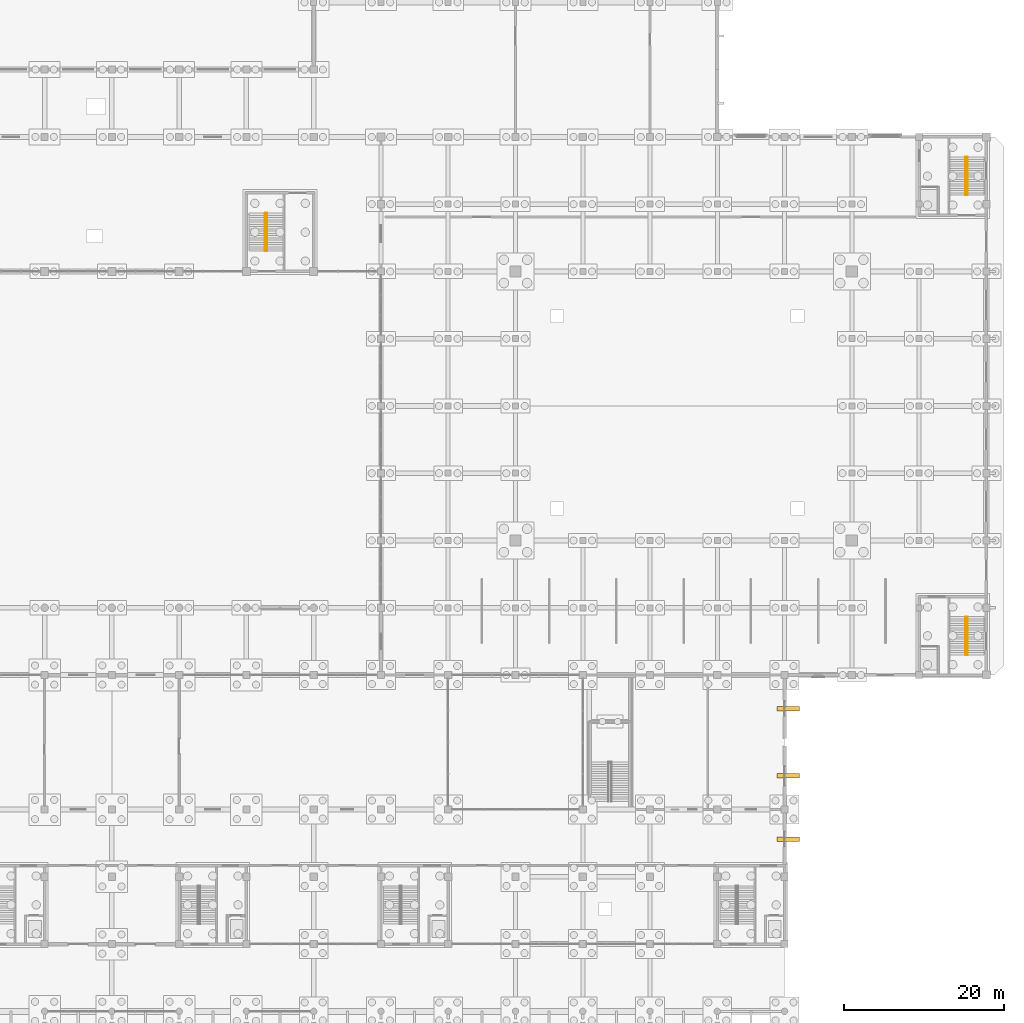
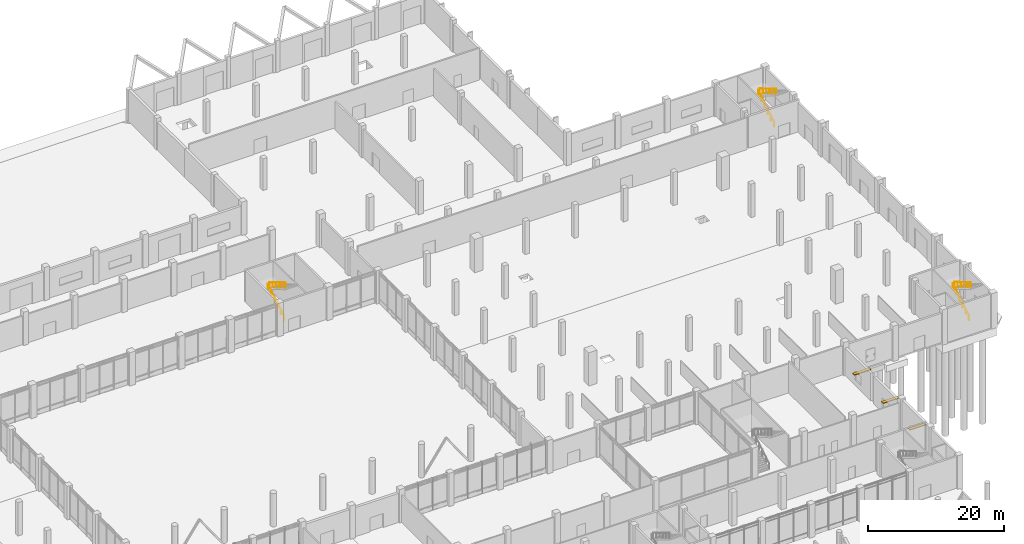
# One storey, part 71 of 72: 6 railings, 3 shading devices.
"""IFC4 building model written with IfcOpenShell, lengths in metres."""

from ifc_helpers import new_model, si_unit, direction, frame, origin, origin_2d, place, context, subcontext, project, spatial, rectangle, circle, extrude, material, type_object, element, save


model = new_model("IFC4")

# Units and contexts
model_context = context("Model", 3, precision=1e-05, world=origin(), true_north=direction((0.0, 1.0)))
body_context = subcontext(model_context, "Body", "Model", "MODEL_VIEW")
ifc_project = project(units=[si_unit("LENGTHUNIT", "METRE"), si_unit("AREAUNIT", "SQUARE_METRE"), si_unit("VOLUMEUNIT", "CUBIC_METRE"), si_unit("PLANEANGLEUNIT", "RADIAN"), si_unit("MASSUNIT", "GRAM", prefix="KILO")], contexts=[model_context])

# Site, building, storey
site_placement = place(None, origin())
site = spatial("IfcSite", under=ifc_project, at=site_placement, CompositionType="ELEMENT")
building_placement = place(site_placement, origin())
building = spatial("IfcBuilding", under=site, at=building_placement, Name="Qawsi Khor Wholesale Market", CompositionType="ELEMENT")
storey_placement = place(building_placement, origin())
storey = spatial("IfcBuildingStorey", under=building, at=storey_placement, Name="L00", CompositionType="ELEMENT", Elevation=0.0)

# Shading devices
ifc_material_1 = material(Name="Anodised Aluminium Louvre", Category="aluminium")
shading_device_type = type_object("IfcShadingDeviceType", Name="East Wing Vertical Sun-Baffle", PredefinedType="JALOUSIE", material=ifc_material_1)
for number, where, z_axis, x_axis, name in (
    (1, (193.6650390625, 21.5, 2.68017578125), (0.0, 0.0, 1.0), (1.0, 0.0, 0.0), "Sun-shading louvre 037"),
    (2, (193.6650390625, 29.39990234375, 2.68017578125), (0.0, 0.0, 1.0), (1.0, 0.0, 0.0), "Sun-shading louvre 038"),
    (3, (193.6650390625, 37.800048828125, 2.68017578125), (0.0, 0.0, 1.0), (1.0, 0.0, 0.0), "Sun-shading louvre 039"),
):
    element("IfcShadingDevice", number, at=place(storey_placement, frame(where, z_axis=z_axis, x_axis=x_axis)), inside=storey, type_object=shading_device_type, Name=name, PredefinedType="JALOUSIE", context=body_context, shape_type="SweptSolid", body=[
        extrude(rectangle(XDim=2.800048828125, YDim=0.550048828125, at=origin_2d()), origin(), (0.0, 0.0, 1.0), 0.139892578125),
    ])

# Railings
ifc_material_2 = material(Name="Brushed Stainless Steel 316", Category="steel")
railing_type = type_object("IfcRailingType", Name="Stair Pitch Handrail 920", PredefinedType="HANDRAIL", material=ifc_material_2)
railing_1_placement = place(storey_placement, frame((128.340087890625, 94.919921875, 0.166748046875)))
element("IfcRailing", 4, at=railing_1_placement, inside=storey, type_object=railing_type, Name="Stair handrail ST-10 L00 F1", PredefinedType="HANDRAIL", context=body_context, shape_type="SweptSolid", body=[
    extrude(circle(Radius=0.02392578125, at=origin_2d()), frame((0.0, 0.0, 0.89599609375), z_axis=(0.0, 0.859299802514, 0.511472237174), x_axis=(-1.0, 0.0, 0.0)), (0.0, 0.0, 1.0), 5.539306640625),
    extrude(circle(Radius=0.02099609375, at=origin_2d()), origin(), (0.0, 0.0, 1.0), 0.871826171875),
    extrude(circle(Radius=0.02099609375, at=origin_2d()), frame((0.0, 0.951904296875, 0.566650390625)), (0.0, 0.0, 1.0), 0.871826171875),
    extrude(circle(Radius=0.02099609375, at=origin_2d()), frame((0.0, 1.904052734375, 1.13330078125)), (0.0, 0.0, 1.0), 0.871826171875),
    extrude(circle(Radius=0.02099609375, at=origin_2d()), frame((0.0, 2.85595703125, 1.699951171875)), (0.0, 0.0, 1.0), 0.871826171875),
    extrude(circle(Radius=0.02099609375, at=origin_2d()), frame((0.0, 3.80810546875, 2.2666015625)), (0.0, 0.0, 1.0), 0.871826171875),
    extrude(circle(Radius=0.02099609375, at=origin_2d()), frame((0.0, 4.760009765625, 2.833251953125)), (0.0, 0.0, 1.0), 0.871826171875),
])
railing_2_placement = place(storey_placement, frame((128.60009765625, 99.679931640625, 3.166748046875)))
element("IfcRailing", 5, at=railing_2_placement, inside=storey, type_object=railing_type, Name="Stair handrail ST-10 L00 F2", PredefinedType="HANDRAIL", context=body_context, shape_type="SweptSolid", body=[
    extrude(circle(Radius=0.02392578125, at=origin_2d()), frame((0.0, 0.0, 0.89599609375), z_axis=(0.0, -0.859299802514, 0.511472237174), x_axis=(1.0, 0.0, 0.0)), (0.0, 0.0, 1.0), 5.539306640625),
    extrude(circle(Radius=0.02099609375, at=origin_2d()), origin(), (0.0, 0.0, 1.0), 0.871826171875),
    extrude(circle(Radius=0.02099609375, at=origin_2d()), frame((0.0, -0.951904296875, 0.566650390625)), (0.0, 0.0, 1.0), 0.871826171875),
    extrude(circle(Radius=0.02099609375, at=origin_2d()), frame((0.0, -1.904052734375, 1.13330078125)), (0.0, 0.0, 1.0), 0.871826171875),
    extrude(circle(Radius=0.02099609375, at=origin_2d()), frame((0.0, -2.85595703125, 1.699951171875)), (0.0, 0.0, 1.0), 0.871826171875),
    extrude(circle(Radius=0.02099609375, at=origin_2d()), frame((0.0, -3.80810546875, 2.2666015625)), (0.0, 0.0, 1.0), 0.871826171875),
    extrude(circle(Radius=0.02099609375, at=origin_2d()), frame((0.0, -4.760009765625, 2.833251953125)), (0.0, 0.0, 1.0), 0.871826171875),
])
railing_3_placement = place(storey_placement, frame((215.800048828125, 44.52001953125, 0.166748046875)))
element("IfcRailing", 6, at=railing_3_placement, inside=storey, type_object=railing_type, Name="Stair handrail ST-11 L00 F1", PredefinedType="HANDRAIL", context=body_context, shape_type="SweptSolid", body=[
    extrude(circle(Radius=0.02392578125, at=origin_2d()), frame((0.0, 0.0, 0.89599609375), z_axis=(0.0, 0.859299802514, 0.511472237174), x_axis=(-1.0, 0.0, 0.0)), (0.0, 0.0, 1.0), 5.539306640625),
    extrude(circle(Radius=0.02099609375, at=origin_2d()), origin(), (0.0, 0.0, 1.0), 0.871826171875),
    extrude(circle(Radius=0.02099609375, at=origin_2d()), frame((0.0, 0.951904296875, 0.566650390625)), (0.0, 0.0, 1.0), 0.871826171875),
    extrude(circle(Radius=0.02099609375, at=origin_2d()), frame((0.0, 1.904052734375, 1.13330078125)), (0.0, 0.0, 1.0), 0.871826171875),
    extrude(circle(Radius=0.02099609375, at=origin_2d()), frame((0.0, 2.85595703125, 1.699951171875)), (0.0, 0.0, 1.0), 0.871826171875),
    extrude(circle(Radius=0.02099609375, at=origin_2d()), frame((0.0, 3.80810546875, 2.2666015625)), (0.0, 0.0, 1.0), 0.871826171875),
    extrude(circle(Radius=0.02099609375, at=origin_2d()), frame((0.0, 4.760009765625, 2.833251953125)), (0.0, 0.0, 1.0), 0.871826171875),
])
railing_4_placement = place(storey_placement, frame((216.06005859375, 49.280029296875, 3.166748046875)))
element("IfcRailing", 7, at=railing_4_placement, inside=storey, type_object=railing_type, Name="Stair handrail ST-11 L00 F2", PredefinedType="HANDRAIL", context=body_context, shape_type="SweptSolid", body=[
    extrude(circle(Radius=0.02392578125, at=origin_2d()), frame((0.0, 0.0, 0.89599609375), z_axis=(0.0, -0.859299802514, 0.511472237174), x_axis=(1.0, 0.0, 0.0)), (0.0, 0.0, 1.0), 5.539306640625),
    extrude(circle(Radius=0.02099609375, at=origin_2d()), origin(), (0.0, 0.0, 1.0), 0.871826171875),
    extrude(circle(Radius=0.02099609375, at=origin_2d()), frame((0.0, -0.951904296875, 0.566650390625)), (0.0, 0.0, 1.0), 0.871826171875),
    extrude(circle(Radius=0.02099609375, at=origin_2d()), frame((0.0, -1.904052734375, 1.13330078125)), (0.0, 0.0, 1.0), 0.871826171875),
    extrude(circle(Radius=0.02099609375, at=origin_2d()), frame((0.0, -2.85595703125, 1.699951171875)), (0.0, 0.0, 1.0), 0.871826171875),
    extrude(circle(Radius=0.02099609375, at=origin_2d()), frame((0.0, -3.80810546875, 2.2666015625)), (0.0, 0.0, 1.0), 0.871826171875),
    extrude(circle(Radius=0.02099609375, at=origin_2d()), frame((0.0, -4.760009765625, 2.833251953125)), (0.0, 0.0, 1.0), 0.871826171875),
])
railing_5_placement = place(storey_placement, frame((215.800048828125, 101.919921875, 0.166748046875)))
element("IfcRailing", 8, at=railing_5_placement, inside=storey, type_object=railing_type, Name="Stair handrail ST-12 L00 F1", PredefinedType="HANDRAIL", context=body_context, shape_type="SweptSolid", body=[
    extrude(circle(Radius=0.02392578125, at=origin_2d()), frame((0.0, 0.0, 0.89599609375), z_axis=(0.0, 0.859299802514, 0.511472237174), x_axis=(-1.0, 0.0, 0.0)), (0.0, 0.0, 1.0), 5.539306640625),
    extrude(circle(Radius=0.02099609375, at=origin_2d()), origin(), (0.0, 0.0, 1.0), 0.871826171875),
    extrude(circle(Radius=0.02099609375, at=origin_2d()), frame((0.0, 0.951904296875, 0.566650390625)), (0.0, 0.0, 1.0), 0.871826171875),
    extrude(circle(Radius=0.02099609375, at=origin_2d()), frame((0.0, 1.904052734375, 1.13330078125)), (0.0, 0.0, 1.0), 0.871826171875),
    extrude(circle(Radius=0.02099609375, at=origin_2d()), frame((0.0, 2.85595703125, 1.699951171875)), (0.0, 0.0, 1.0), 0.871826171875),
    extrude(circle(Radius=0.02099609375, at=origin_2d()), frame((0.0, 3.80810546875, 2.2666015625)), (0.0, 0.0, 1.0), 0.871826171875),
    extrude(circle(Radius=0.02099609375, at=origin_2d()), frame((0.0, 4.760009765625, 2.833251953125)), (0.0, 0.0, 1.0), 0.871826171875),
])
railing_6_placement = place(storey_placement, frame((216.06005859375, 106.679931640625, 3.166748046875)))
element("IfcRailing", 9, at=railing_6_placement, inside=storey, type_object=railing_type, Name="Stair handrail ST-12 L00 F2", PredefinedType="HANDRAIL", context=body_context, shape_type="SweptSolid", body=[
    extrude(circle(Radius=0.02392578125, at=origin_2d()), frame((0.0, 0.0, 0.89599609375), z_axis=(0.0, -0.859299802514, 0.511472237174), x_axis=(1.0, 0.0, 0.0)), (0.0, 0.0, 1.0), 5.539306640625),
    extrude(circle(Radius=0.02099609375, at=origin_2d()), origin(), (0.0, 0.0, 1.0), 0.871826171875),
    extrude(circle(Radius=0.02099609375, at=origin_2d()), frame((0.0, -0.951904296875, 0.566650390625)), (0.0, 0.0, 1.0), 0.871826171875),
    extrude(circle(Radius=0.02099609375, at=origin_2d()), frame((0.0, -1.904052734375, 1.13330078125)), (0.0, 0.0, 1.0), 0.871826171875),
    extrude(circle(Radius=0.02099609375, at=origin_2d()), frame((0.0, -2.85595703125, 1.699951171875)), (0.0, 0.0, 1.0), 0.871826171875),
    extrude(circle(Radius=0.02099609375, at=origin_2d()), frame((0.0, -3.80810546875, 2.2666015625)), (0.0, 0.0, 1.0), 0.871826171875),
    extrude(circle(Radius=0.02099609375, at=origin_2d()), frame((0.0, -4.760009765625, 2.833251953125)), (0.0, 0.0, 1.0), 0.871826171875),
])

save(model, "model.ifc")
